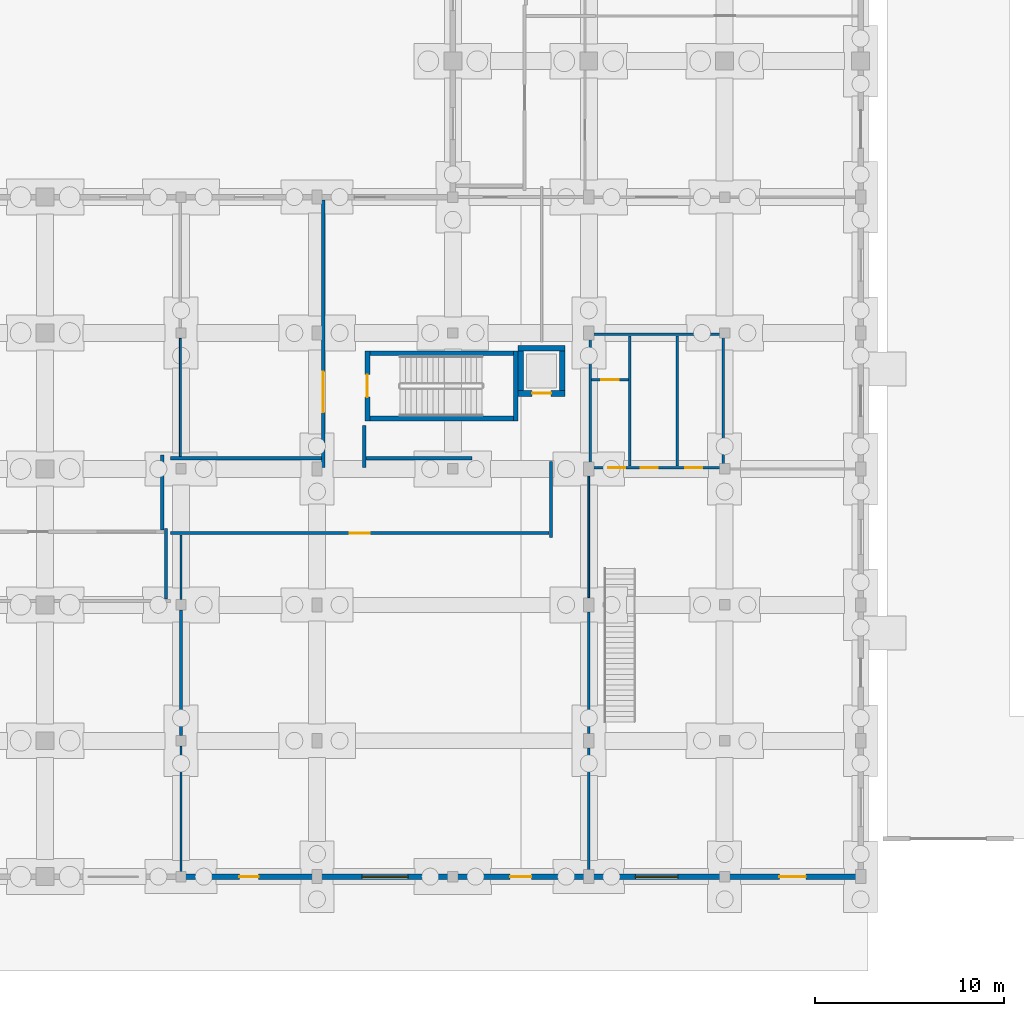
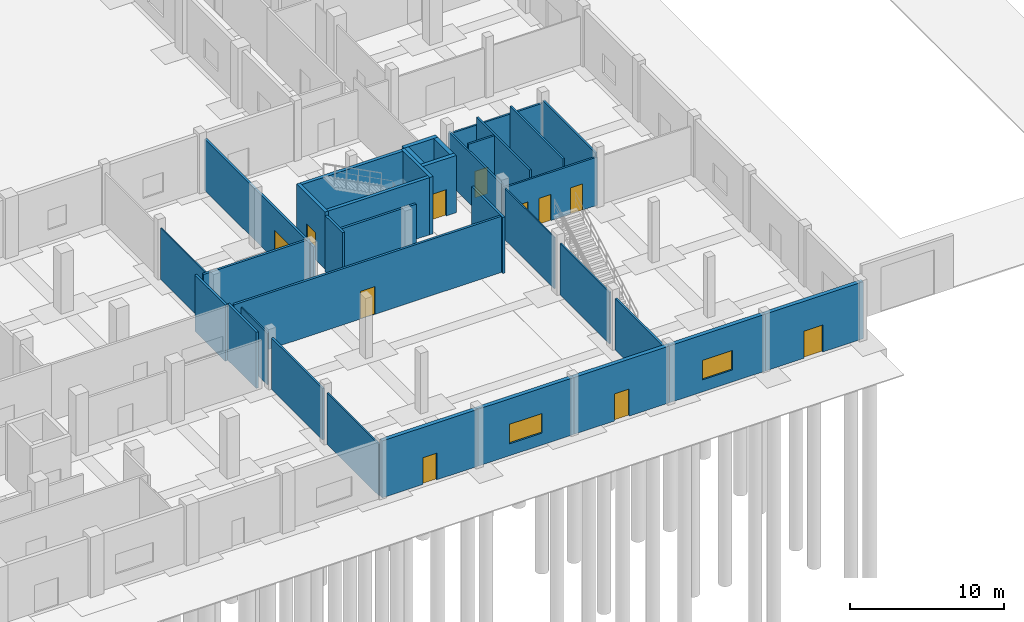
# One storey, part 31 of 48: 35 walls, 11 doors, 2 windows, 13 openings.
"""IFC4 building model written with IfcOpenShell, lengths in metres."""

from ifc_helpers import new_model, si_unit, direction, frame, frame_2d, origin, place, context, subcontext, project, spatial, rectangle, extrude, material, layer, layer_set, type_object, element, fill, save


model = new_model("IFC4")

# Units and contexts
model_context = context("Model", 3, precision=1e-05, world=origin(), true_north=direction((0.0, 1.0)))
body_context = subcontext(model_context, "Body", "Model", "MODEL_VIEW")
ifc_project = project(units=[si_unit("LENGTHUNIT", "METRE"), si_unit("AREAUNIT", "SQUARE_METRE"), si_unit("VOLUMEUNIT", "CUBIC_METRE"), si_unit("PLANEANGLEUNIT", "RADIAN"), si_unit("MASSUNIT", "GRAM", prefix="KILO")], contexts=[model_context])

# Site, building, storey
site_placement = place(None, origin())
site = spatial("IfcSite", under=ifc_project, at=site_placement, CompositionType="ELEMENT")
building_placement = place(site_placement, origin())
building = spatial("IfcBuilding", under=site, at=building_placement, Name="Seraya Terrace Polytechnic", CompositionType="ELEMENT")
storey_placement = place(building_placement, origin())
storey = spatial("IfcBuildingStorey", under=building, at=storey_placement, Name="L00", CompositionType="ELEMENT", Elevation=0.0)

# Wall, opening, door
ifc_material_1 = material(Name="Concrete C40/50", Category="concrete")
ifc_layer_1 = layer(ifc_material_1, 0.300048828125, Name="EW-01")
ifc_layer_set_1 = layer_set([ifc_layer_1], Name="Concrete C40/50")
wall_type_1 = type_object("IfcWallType", Name="EW-01", PredefinedType="SOLIDWALL", material=ifc_layer_set_1)
wall_1_placement = place(storey_placement, frame((165.75, 0.0, 0.0), z_axis=(0.0, 0.0, 1.0), x_axis=(-1.0, 0.0, 0.0)))
wall_1 = element("IfcWall", 1, at=wall_1_placement, inside=storey, type_object=wall_type_1, Name="Exterior structural wall EW-01 L00", PredefinedType="SOLIDWALL", context=body_context, shape_type="SweptSolid", body=[
    extrude(rectangle(XDim=7.35009765625, YDim=0.300048828125, at=frame_2d((3.675048828125, 0.0))), origin(), (0.0, 0.0, 1.0), 4.52001953125),
])
opening_1_placement = place(wall_1_placement, frame((3.050048828125, 0.0, 0.0)))
opening_1 = element("IfcOpeningElement", 2, at=opening_1_placement, cuts=wall_1, Name="Opening ED-05", PredefinedType="OPENING", context=body_context, shape_type="SweptSolid", body=[
    extrude(rectangle(XDim=1.39990234375, YDim=2.14990234375, at=frame_2d((0.699951171875, 1.074951171875))), frame((0.0, 0.162109375, 0.0), z_axis=(0.0, -1.0, 0.0), x_axis=(1.0, 0.0, 0.0)), (0.0, 0.0, 1.0), 0.323974609375),
])
ifc_material_2 = material(Name="Anodised aluminium EN AW-6063 T6", Category="aluminium")
door_type_1 = type_object("IfcDoorType", Name="ED-05", OperationType="DOUBLE_DOOR_SINGLE_SWING", PredefinedType="DOOR", material=ifc_material_2)
door_1_placement = place(opening_1_placement, origin())
door_1 = element("IfcDoor", 3, at=door_1_placement, inside=storey, type_object=door_type_1, Name="Door ED-05 DR-EXIT-L00-021 in WL-EXT-L00-08-00", OperationType="DOUBLE_DOOR_SINGLE_SWING", OverallHeight=2.14990234375, OverallWidth=1.39990234375, PredefinedType="DOOR", context=body_context, shape_type="SweptSolid", body=[
    extrude(rectangle(XDim=1.39990234375, YDim=2.14990234375, at=frame_2d((0.699951171875, 1.074951171875))), frame((0.0, 0.02490234375, 0.0), z_axis=(0.0, -1.0, 0.0), x_axis=(1.0, 0.0, 0.0)), (0.0, 0.0, 1.0), 0.050048828125),
])
fill(opening_1, door_1)

# Wall, opening, window
wall_2_placement = place(storey_placement, frame((158.39990234375, 0.0, 0.0), z_axis=(0.0, 0.0, 1.0), x_axis=(-1.0, 0.0, 0.0)))
wall_2 = element("IfcWall", 4, at=wall_2_placement, inside=storey, type_object=wall_type_1, Name="Exterior structural wall EW-01 L00", PredefinedType="SOLIDWALL", context=body_context, shape_type="SweptSolid", body=[
    extrude(rectangle(XDim=7.199951171875, YDim=0.300048828125, at=frame_2d((3.60009765625, 0.0))), origin(), (0.0, 0.0, 1.0), 4.52001953125),
])
opening_2_placement = place(wall_2_placement, frame((2.47509765625, 0.0, 0.949951171875)))
opening_2 = element("IfcOpeningElement", 5, at=opening_2_placement, cuts=wall_2, Name="Opening WN-20", PredefinedType="OPENING", context=body_context, shape_type="SweptSolid", body=[
    extrude(rectangle(XDim=2.25, YDim=1.550048828125, at=frame_2d((1.125, 0.77490234375))), frame((0.0, 0.162109375, 0.0), z_axis=(0.0, -1.0, 0.0), x_axis=(1.0, 0.0, 0.0)), (0.0, 0.0, 1.0), 0.323974609375),
])
ifc_material_3 = material(Name="Laminated solar-control Low-E double glazing", Category="glass")
window_type_1 = type_object("IfcWindowType", Name="WN-20", PartitioningType="SINGLE_PANEL", PredefinedType="WINDOW", material=ifc_material_3)
window_1_placement = place(opening_2_placement, origin())
window_1 = element("IfcWindow", 6, at=window_1_placement, inside=storey, type_object=window_type_1, Name="Exterior window WN-20 L00", OverallHeight=1.550048828125, OverallWidth=2.25, PartitioningType="SINGLE_PANEL", PredefinedType="WINDOW", context=body_context, shape_type="SweptSolid", body=[
    extrude(rectangle(XDim=2.25, YDim=1.550048828125, at=frame_2d((1.125, 0.77490234375))), frame((0.0, 0.030029296875, 0.0), z_axis=(0.0, -1.0, 0.0), x_axis=(1.0, 0.0, 0.0)), (0.0, 0.0, 1.0), 0.06005859375),
])
fill(opening_2, window_1)

# Wall, opening, door
wall_3_placement = place(storey_placement, frame((151.199951171875, 0.0, 0.0), z_axis=(0.0, 0.0, 1.0), x_axis=(-1.0, 0.0, 0.0)))
wall_3 = element("IfcWall", 7, at=wall_3_placement, inside=storey, type_object=wall_type_1, Name="Exterior structural wall EW-01 L00", PredefinedType="SOLIDWALL", context=body_context, shape_type="SweptSolid", body=[
    extrude(rectangle(XDim=7.199951171875, YDim=0.300048828125, at=frame_2d((3.60009765625, 0.0))), origin(), (0.0, 0.0, 1.0), 4.52001953125),
])
opening_3_placement = place(wall_3_placement, frame((3.0400390625, 0.0, 0.0)))
opening_3 = element("IfcOpeningElement", 8, at=opening_3_placement, cuts=wall_3, Name="Opening ED-06", PredefinedType="OPENING", context=body_context, shape_type="SweptSolid", body=[
    extrude(rectangle(XDim=1.1201171875, YDim=2.14990234375, at=frame_2d((0.56005859375, 1.074951171875))), frame((0.0, 0.162109375, 0.0), z_axis=(0.0, -1.0, 0.0), x_axis=(1.0, 0.0, 0.0)), (0.0, 0.0, 1.0), 0.323974609375),
])
door_type_2 = type_object("IfcDoorType", Name="ED-06", OperationType="NOTDEFINED", PredefinedType="DOOR", material=ifc_material_2)
door_2_placement = place(opening_3_placement, origin())
door_2 = element("IfcDoor", 9, at=door_2_placement, inside=storey, type_object=door_type_2, Name="Door ED-06 DR-EXIT-L00-022 in WL-EXT-L00-08-02", OperationType="SINGLE_SWING_LEFT", OverallHeight=2.14990234375, OverallWidth=1.1201171875, PredefinedType="DOOR", context=body_context, shape_type="SweptSolid", body=[
    extrude(rectangle(XDim=1.1201171875, YDim=2.14990234375, at=frame_2d((0.56005859375, 1.074951171875))), frame((0.0, 0.02490234375, 0.0), z_axis=(0.0, -1.0, 0.0), x_axis=(1.0, 0.0, 0.0)), (0.0, 0.0, 1.0), 0.050048828125),
])
fill(opening_3, door_2)

# Wall, opening, window
wall_4_placement = place(storey_placement, frame((144.0, 0.0, 0.0), z_axis=(0.0, 0.0, 1.0), x_axis=(-1.0, 0.0, 0.0)))
wall_4 = element("IfcWall", 10, at=wall_4_placement, inside=storey, type_object=wall_type_1, Name="Exterior structural wall EW-01 L00", PredefinedType="SOLIDWALL", context=body_context, shape_type="SweptSolid", body=[
    extrude(rectangle(XDim=7.199951171875, YDim=0.300048828125, at=frame_2d((3.60009765625, 0.0))), origin(), (0.0, 0.0, 1.0), 4.52001953125),
])
opening_4_placement = place(wall_4_placement, frame((2.375, 0.0, 0.949951171875)))
opening_4 = element("IfcOpeningElement", 11, at=opening_4_placement, cuts=wall_4, Name="Opening WN-21", PredefinedType="OPENING", context=body_context, shape_type="SweptSolid", body=[
    extrude(rectangle(XDim=2.449951171875, YDim=1.550048828125, at=frame_2d((1.22509765625, 0.77490234375))), frame((0.0, 0.162109375, 0.0), z_axis=(0.0, -1.0, 0.0), x_axis=(1.0, 0.0, 0.0)), (0.0, 0.0, 1.0), 0.323974609375),
])
window_type_2 = type_object("IfcWindowType", Name="WN-21", PartitioningType="SINGLE_PANEL", PredefinedType="WINDOW", material=ifc_material_3)
window_2_placement = place(opening_4_placement, origin())
window_2 = element("IfcWindow", 12, at=window_2_placement, inside=storey, type_object=window_type_2, Name="Exterior window WN-21 L00", OverallHeight=1.550048828125, OverallWidth=2.449951171875, PartitioningType="SINGLE_PANEL", PredefinedType="WINDOW", context=body_context, shape_type="SweptSolid", body=[
    extrude(rectangle(XDim=2.449951171875, YDim=1.550048828125, at=frame_2d((1.22509765625, 0.77490234375))), frame((0.0, 0.030029296875, 0.0), z_axis=(0.0, -1.0, 0.0), x_axis=(1.0, 0.0, 0.0)), (0.0, 0.0, 1.0), 0.06005859375),
])
fill(opening_4, window_2)

# Wall, opening, door
wall_5_placement = place(storey_placement, frame((136.800048828125, 0.0, 0.0), z_axis=(0.0, 0.0, 1.0), x_axis=(-1.0, 0.0, 0.0)))
wall_5 = element("IfcWall", 13, at=wall_5_placement, inside=storey, type_object=wall_type_1, Name="Exterior structural wall EW-01 L00", PredefinedType="SOLIDWALL", context=body_context, shape_type="SweptSolid", body=[
    extrude(rectangle(XDim=7.199951171875, YDim=0.300048828125, at=frame_2d((3.60009765625, 0.0))), origin(), (0.0, 0.0, 1.0), 4.52001953125),
])
opening_5_placement = place(wall_5_placement, frame((3.090087890625, 0.0, 0.0)))
opening_5 = element("IfcOpeningElement", 14, at=opening_5_placement, cuts=wall_5, Name="Opening ED-07", PredefinedType="OPENING", context=body_context, shape_type="SweptSolid", body=[
    extrude(rectangle(XDim=1.02001953125, YDim=2.1201171875, at=frame_2d((0.510009765625, 1.06005859375))), frame((0.0, 0.162109375, 0.0), z_axis=(0.0, -1.0, 0.0), x_axis=(1.0, 0.0, 0.0)), (0.0, 0.0, 1.0), 0.323974609375),
])
door_type_3 = type_object("IfcDoorType", Name="ED-07", OperationType="NOTDEFINED", PredefinedType="DOOR", material=ifc_material_2)
door_3_placement = place(opening_5_placement, origin())
door_3 = element("IfcDoor", 15, at=door_3_placement, inside=storey, type_object=door_type_3, Name="Door ED-07 DR-EXIT-L00-023 in WL-EXT-L00-08-04", OperationType="SINGLE_SWING_RIGHT", OverallHeight=2.1201171875, OverallWidth=1.02001953125, PredefinedType="DOOR", context=body_context, shape_type="SweptSolid", body=[
    extrude(rectangle(XDim=1.02001953125, YDim=2.1201171875, at=frame_2d((0.510009765625, 1.06005859375))), frame((0.0, 0.02490234375, 0.0), z_axis=(0.0, -1.0, 0.0), x_axis=(1.0, 0.0, 0.0)), (0.0, 0.0, 1.0), 0.050048828125),
])
fill(opening_5, door_3)

# Wall
ifc_material_4 = material(Name="Autoclaved aerated concrete blockwork", Category="masonry")
ifc_layer_2 = layer(ifc_material_4, 0.169921875, Name="PT-02")
ifc_layer_set_2 = layer_set([ifc_layer_2], Name="Autoclaved aerated concrete blockwork")
wall_type_2 = type_object("IfcWallType", Name="PT-02", PredefinedType="PARTITIONING", material=ifc_layer_set_2)
wall_6_placement = place(storey_placement, frame((139.300048828125, 21.66845703125, 0.0), z_axis=(0.0, 0.0, 1.0), x_axis=(0.0, 1.0, 0.0)))
element("IfcWall", 16, at=wall_6_placement, inside=storey, type_object=wall_type_2, Name="Internal partition PT-02 L00", PredefinedType="PARTITIONING", context=body_context, shape_type="SweptSolid", body=[
    extrude(rectangle(XDim=2.23193359375, YDim=0.169921875, at=frame_2d((1.115966796875, 0.0))), origin(), (0.0, 0.0, 1.0), 4.4599609375),
])

# Wall, opening, door
wall_7_placement = place(storey_placement, frame((137.1298828125, 21.679931640625, 0.0), z_axis=(0.0, 0.0, 1.0), x_axis=(0.0, 1.0, 0.0)))
wall_7 = element("IfcWall", 17, at=wall_7_placement, inside=storey, type_object=wall_type_2, Name="Internal partition PT-02 L00", PredefinedType="PARTITIONING", context=body_context, shape_type="SweptSolid", body=[
    extrude(rectangle(XDim=14.157958984375, YDim=0.169921875, at=frame_2d((7.0791015625, 0.0))), origin(), (0.0, 0.0, 1.0), 4.080078125),
])
opening_6_placement = place(wall_7_placement, frame((2.9150390625, 0.0, 0.0)))
opening_6 = element("IfcOpeningElement", 18, at=opening_6_placement, cuts=wall_7, Name="Opening ID-18", PredefinedType="OPENING", context=body_context, shape_type="SweptSolid", body=[
    extrude(rectangle(XDim=2.159912109375, YDim=2.35009765625, at=frame_2d((1.080078125, 1.175048828125))), frame((0.0, 0.096923828125, 0.0), z_axis=(0.0, -1.0, 0.0), x_axis=(1.0, 0.0, 0.0)), (0.0, 0.0, 1.0), 0.19384765625),
])
ifc_material_5 = material(Name="Malaysian dark red meranti hardwood timber D40", Category="wood")
door_type_4 = type_object("IfcDoorType", Name="ID-18", OperationType="DOUBLE_DOOR_SINGLE_SWING", PredefinedType="DOOR", material=ifc_material_5)
door_4_placement = place(opening_6_placement, frame((2.159912109375, 0.0, 0.0), z_axis=(0.0, 0.0, 1.0), x_axis=(-1.0, 0.0, 0.0)))
door_4 = element("IfcDoor", 19, at=door_4_placement, inside=storey, type_object=door_type_4, Name="Door ID-18 DR-INT-L00-0015 in WL-INT-L00-0018", OperationType="DOUBLE_DOOR_SINGLE_SWING", OverallHeight=2.35009765625, OverallWidth=2.159912109375, PredefinedType="DOOR", context=body_context, shape_type="SweptSolid", body=[
    extrude(rectangle(XDim=2.159912109375, YDim=2.35009765625, at=frame_2d((1.080078125, 1.175048828125))), frame((0.0, 0.02490234375, 0.0), z_axis=(0.0, -1.0, 0.0), x_axis=(1.0, 0.0, 0.0)), (0.0, 0.0, 1.0), 0.050048828125),
])
fill(opening_6, door_4)

# Walls
wall_8_placement = place(storey_placement, frame((128.800048828125, 14.699951171875, 0.0), z_axis=(0.0, 0.0, 1.0), x_axis=(0.0, 1.0, 0.0)))
element("IfcWall", 20, at=wall_8_placement, inside=storey, type_object=wall_type_2, Name="Internal partition PT-02 L00", PredefinedType="PARTITIONING", context=body_context, shape_type="SweptSolid", body=[
    extrude(rectangle(XDim=3.739990234375, YDim=0.169921875, at=frame_2d((1.8701171875, 0.0))), origin(), (0.0, 0.0, 1.0), 4.4599609375),
])
wall_9_placement = place(storey_placement, frame((149.199951171875, 17.9599609375, 0.0), z_axis=(0.0, 0.0, 1.0), x_axis=(0.0, 1.0, 0.0)))
element("IfcWall", 21, at=wall_9_placement, inside=storey, type_object=wall_type_2, Name="Internal partition PT-02 L00", PredefinedType="PARTITIONING", context=body_context, shape_type="SweptSolid", body=[
    extrude(rectangle(XDim=4.0400390625, YDim=0.169921875, at=frame_2d((2.02001953125, 0.0))), origin(), (0.0, 0.0, 1.0), 4.4599609375),
])

# Wall, opening, door
wall_10_placement = place(storey_placement, frame((129.028564453125, 18.199951171875, 0.0), z_axis=(0.0, 0.0, 1.0), x_axis=(1.0, 0.0, 0.0)))
wall_10 = element("IfcWall", 22, at=wall_10_placement, inside=storey, type_object=wall_type_2, Name="Internal partition PT-02 L00", PredefinedType="PARTITIONING", context=body_context, shape_type="SweptSolid", body=[
    extrude(rectangle(XDim=20.071533203125, YDim=0.169921875, at=frame_2d((10.03564453125, 0.0))), origin(), (0.0, 0.0, 1.0), 4.4599609375),
])
opening_7_placement = place(wall_10_placement, frame((9.495849609375, 0.0, 0.0)))
opening_7 = element("IfcOpeningElement", 23, at=opening_7_placement, cuts=wall_10, Name="Opening ID-05", PredefinedType="OPENING", context=body_context, shape_type="SweptSolid", body=[
    extrude(rectangle(XDim=1.080078125, YDim=2.199951171875, at=frame_2d((0.5400390625, 1.10009765625))), frame((0.0, 0.096923828125, 0.0), z_axis=(0.0, -1.0, 0.0), x_axis=(1.0, 0.0, 0.0)), (0.0, 0.0, 1.0), 0.19384765625),
])
door_type_5 = type_object("IfcDoorType", Name="ID-05", OperationType="NOTDEFINED", PredefinedType="DOOR", material=ifc_material_5)
door_5_placement = place(opening_7_placement, origin())
door_5 = element("IfcDoor", 24, at=door_5_placement, inside=storey, type_object=door_type_5, Name="Door ID-05 DR-INT-L00-0002 in WL-INT-L00-0122", OperationType="SINGLE_SWING_LEFT", OverallHeight=2.199951171875, OverallWidth=1.080078125, PredefinedType="DOOR", context=body_context, shape_type="SweptSolid", body=[
    extrude(rectangle(XDim=1.080078125, YDim=2.199951171875, at=frame_2d((0.5400390625, 1.10009765625))), frame((0.0, 0.02490234375, 0.0), z_axis=(0.0, -1.0, 0.0), x_axis=(1.0, 0.0, 0.0)), (0.0, 0.0, 1.0), 0.050048828125),
])
fill(opening_7, door_5)

# Walls
wall_11_placement = place(storey_placement, frame((139.39990234375, 22.169921875, 0.0), z_axis=(0.0, 0.0, 1.0), x_axis=(1.0, 0.0, 0.0)))
element("IfcWall", 25, at=wall_11_placement, inside=storey, type_object=wall_type_2, Name="Internal partition PT-02 L00", PredefinedType="PARTITIONING", context=body_context, shape_type="SweptSolid", body=[
    extrude(rectangle(XDim=5.612060546875, YDim=0.169921875, at=frame_2d((2.80615234375, 0.0))), origin(), (0.0, 0.0, 1.0), 4.4599609375),
])
wall_12_placement = place(storey_placement, frame((128.60009765625, 18.3701171875, 0.0), z_axis=(0.0, 0.0, 1.0), x_axis=(0.0, 1.0, 0.0)))
element("IfcWall", 26, at=wall_12_placement, inside=storey, type_object=wall_type_2, Name="Internal partition PT-02 L00", PredefinedType="PARTITIONING", context=body_context, shape_type="SweptSolid", body=[
    extrude(rectangle(XDim=3.969970703125, YDim=0.169921875, at=frame_2d((1.98486328125, 0.0))), origin(), (0.0, 0.0, 1.0), 4.4599609375),
])
wall_13_placement = place(storey_placement, frame((129.0400390625, 22.169921875, 0.0), z_axis=(0.0, 0.0, 1.0), x_axis=(1.0, 0.0, 0.0)))
element("IfcWall", 27, at=wall_13_placement, inside=storey, type_object=wall_type_2, Name="Internal partition PT-02 L00", PredefinedType="PARTITIONING", context=body_context, shape_type="SweptSolid", body=[
    extrude(rectangle(XDim=7.989990234375, YDim=0.169921875, at=frame_2d((3.9951171875, 0.0))), origin(), (0.0, 0.0, 1.0), 4.4599609375),
])
ifc_layer_3 = layer(ifc_material_4, 0.14990234375, Name="PT-03")
ifc_layer_set_3 = layer_set([ifc_layer_3], Name="Autoclaved aerated concrete blockwork")
wall_type_3 = type_object("IfcWallType", Name="PT-03", PredefinedType="PARTITIONING", material=ifc_layer_set_3)
wall_14_placement = place(storey_placement, frame((129.60009765625, 7.485107421875, 0.0), z_axis=(0.0, 0.0, 1.0), x_axis=(0.0, 1.0, 0.0)))
element("IfcWall", 28, at=wall_14_placement, inside=storey, type_object=wall_type_3, Name="Internal partition PT-03 L00", PredefinedType="PARTITIONING", context=body_context, shape_type="SweptSolid", body=[
    extrude(rectangle(XDim=6.6298828125, YDim=0.14990234375, at=frame_2d((3.31494140625, 0.0))), origin(), (0.0, 0.0, 1.0), 4.080078125),
])
wall_15_placement = place(storey_placement, frame((151.199951171875, 0.162109375, 0.0), z_axis=(0.0, 0.0, 1.0), x_axis=(0.0, 1.0, 0.0)))
element("IfcWall", 29, at=wall_15_placement, inside=storey, type_object=wall_type_3, Name="Internal partition PT-03 L00", PredefinedType="PARTITIONING", context=body_context, shape_type="SweptSolid", body=[
    extrude(rectangle(XDim=6.65283203125, YDim=0.14990234375, at=frame_2d((3.326416015625, 0.0))), origin(), (0.0, 0.0, 1.0), 4.080078125),
])

# Wall, openings, doors
ifc_layer_4 = layer(ifc_material_4, 0.139892578125, Name="PT-04")
ifc_layer_set_4 = layer_set([ifc_layer_4], Name="Autoclaved aerated concrete blockwork")
wall_type_4 = type_object("IfcWallType", Name="PT-04", PredefinedType="PARTITIONING", material=ifc_layer_set_4)
wall_16_placement = place(storey_placement, frame((151.27001953125, 21.669921875, 0.0), z_axis=(0.0, 0.0, 1.0), x_axis=(1.0, 0.0, 0.0)))
wall_16 = element("IfcWall", 30, at=wall_16_placement, inside=storey, type_object=wall_type_4, Name="Sanitary WC-D South wall L00", PredefinedType="PARTITIONING", context=body_context, shape_type="SweptSolid", body=[
    extrude(rectangle(XDim=7.06005859375, YDim=0.139892578125, at=frame_2d((3.530029296875, 0.0))), origin(), (0.0, 0.0, 1.0), 3.830078125),
])
opening_8_placement = place(wall_16_placement, frame((0.949951171875, 0.0, 0.0)))
opening_8 = element("IfcOpeningElement", 31, at=opening_8_placement, cuts=wall_16, Name="Opening ID-02", PredefinedType="OPENING", context=body_context, shape_type="SweptSolid", body=[
    extrude(rectangle(XDim=0.89990234375, YDim=2.080078125, at=frame_2d((0.449951171875, 1.0400390625))), frame((0.0, 0.08203125, 0.0), z_axis=(0.0, -1.0, 0.0), x_axis=(1.0, 0.0, 0.0)), (0.0, 0.0, 1.0), 0.163818359375),
])
opening_9_placement = place(wall_16_placement, frame((2.679931640625, 0.0, 0.0)))
opening_9 = element("IfcOpeningElement", 32, at=opening_9_placement, cuts=wall_16, Name="Opening ID-02", PredefinedType="OPENING", context=body_context, shape_type="SweptSolid", body=[
    extrude(rectangle(XDim=0.89990234375, YDim=2.080078125, at=frame_2d((0.449951171875, 1.0400390625))), frame((0.0, 0.08203125, 0.0), z_axis=(0.0, -1.0, 0.0), x_axis=(1.0, 0.0, 0.0)), (0.0, 0.0, 1.0), 0.163818359375),
])
opening_10_placement = place(wall_16_placement, frame((5.050048828125, 0.0, 0.0)))
opening_10 = element("IfcOpeningElement", 33, at=opening_10_placement, cuts=wall_16, Name="Opening ID-02", PredefinedType="OPENING", context=body_context, shape_type="SweptSolid", body=[
    extrude(rectangle(XDim=0.89990234375, YDim=2.080078125, at=frame_2d((0.449951171875, 1.0400390625))), frame((0.0, 0.08203125, 0.0), z_axis=(0.0, -1.0, 0.0), x_axis=(1.0, 0.0, 0.0)), (0.0, 0.0, 1.0), 0.163818359375),
])
door_type_6 = type_object("IfcDoorType", Name="ID-02", OperationType="NOTDEFINED", PredefinedType="DOOR", material=ifc_material_5)
door_6_placement = place(opening_8_placement, origin())
door_6 = element("IfcDoor", 34, at=door_6_placement, inside=storey, type_object=door_type_6, Name="Door ID-02 DR-WC-WC-D-L00-CLN in WL-WC-WC-D-L00-S", OperationType="SINGLE_SWING_LEFT", OverallHeight=2.080078125, OverallWidth=0.89990234375, PredefinedType="DOOR", context=body_context, shape_type="SweptSolid", body=[
    extrude(rectangle(XDim=0.89990234375, YDim=2.080078125, at=frame_2d((0.449951171875, 1.0400390625))), frame((0.0, 0.02490234375, 0.0), z_axis=(0.0, -1.0, 0.0), x_axis=(1.0, 0.0, 0.0)), (0.0, 0.0, 1.0), 0.050048828125),
])
fill(opening_8, door_6)
door_7_placement = place(opening_9_placement, origin())
door_7 = element("IfcDoor", 35, at=door_7_placement, inside=storey, type_object=door_type_6, Name="Door ID-02 DR-WC-WC-D-L00-M in WL-WC-WC-D-L00-S", OperationType="SINGLE_SWING_RIGHT", OverallHeight=2.080078125, OverallWidth=0.89990234375, PredefinedType="DOOR", context=body_context, shape_type="SweptSolid", body=[
    extrude(rectangle(XDim=0.89990234375, YDim=2.080078125, at=frame_2d((0.449951171875, 1.0400390625))), frame((0.0, 0.02490234375, 0.0), z_axis=(0.0, -1.0, 0.0), x_axis=(1.0, 0.0, 0.0)), (0.0, 0.0, 1.0), 0.050048828125),
])
fill(opening_9, door_7)
door_8_placement = place(opening_10_placement, origin())
door_8 = element("IfcDoor", 36, at=door_8_placement, inside=storey, type_object=door_type_6, Name="Door ID-02 DR-WC-WC-D-L00-F in WL-WC-WC-D-L00-S", OperationType="SINGLE_SWING_LEFT", OverallHeight=2.080078125, OverallWidth=0.89990234375, PredefinedType="DOOR", context=body_context, shape_type="SweptSolid", body=[
    extrude(rectangle(XDim=0.89990234375, YDim=2.080078125, at=frame_2d((0.449951171875, 1.0400390625))), frame((0.0, 0.02490234375, 0.0), z_axis=(0.0, -1.0, 0.0), x_axis=(1.0, 0.0, 0.0)), (0.0, 0.0, 1.0), 0.050048828125),
])
fill(opening_10, door_8)

# Walls
wall_17_placement = place(storey_placement, frame((151.27001953125, 28.72998046875, 0.0), z_axis=(0.0, 0.0, 1.0), x_axis=(1.0, 0.0, 0.0)))
element("IfcWall", 37, at=wall_17_placement, inside=storey, type_object=wall_type_4, Name="Sanitary WC-D North wall L00", PredefinedType="PARTITIONING", context=body_context, shape_type="SweptSolid", body=[
    extrude(rectangle(XDim=7.06005859375, YDim=0.139892578125, at=frame_2d((3.530029296875, 0.0))), origin(), (0.0, 0.0, 1.0), 3.830078125),
])
for number, where, z_axis, x_axis, name in (
    (38, (151.27001953125, 21.75, 0.0), (0.0, 0.0, 1.0), (0.0, 1.0, 0.0), "Sanitary WC-D West wall L00"),
    (39, (158.330078125, 21.75, 0.0), (0.0, 0.0, 1.0), (0.0, 1.0, 0.0), "Sanitary WC-D East wall L00"),
):
    element("IfcWall", number, at=place(storey_placement, frame(where, z_axis=z_axis, x_axis=x_axis)), inside=storey, type_object=wall_type_4, Name=name, PredefinedType="PARTITIONING", context=body_context, shape_type="SweptSolid", body=[
        extrude(rectangle(XDim=6.89990234375, YDim=0.139892578125, at=frame_2d((3.449951171875, 0.0))), origin(), (0.0, 0.0, 1.0), 4.080078125),
    ])
for number, where, z_axis, x_axis, name in (
    (40, (153.3798828125, 21.75, 0.0), (0.0, 0.0, 1.0), (0.0, 1.0, 0.0), "Sanitary WC-D OKU/Male divider L00"),
    (41, (155.889892578125, 21.75, 0.0), (0.0, 0.0, 1.0), (0.0, 1.0, 0.0), "Sanitary WC-D Male/Female divider L00"),
):
    element("IfcWall", number, at=place(storey_placement, frame(where, z_axis=z_axis, x_axis=x_axis)), inside=storey, type_object=wall_type_4, Name=name, PredefinedType="PARTITIONING", context=body_context, shape_type="SweptSolid", body=[
        extrude(rectangle(XDim=6.89990234375, YDim=0.139892578125, at=frame_2d((3.449951171875, 0.0))), origin(), (0.0, 0.0, 1.0), 4.4599609375),
    ])

# Wall, opening, door
wall_18_placement = place(storey_placement, frame((151.35009765625, 26.320068359375, 0.0), z_axis=(0.0, 0.0, 1.0), x_axis=(1.0, 0.0, 0.0)))
wall_18 = element("IfcWall", 42, at=wall_18_placement, inside=storey, type_object=wall_type_4, Name="Sanitary WC-D OKU/Cleaner divider L00", PredefinedType="PARTITIONING", context=body_context, shape_type="SweptSolid", body=[
    extrude(rectangle(XDim=1.949951171875, YDim=0.139892578125, at=frame_2d((0.97509765625, 0.0))), origin(), (0.0, 0.0, 1.0), 4.4599609375),
])
opening_11_placement = place(wall_18_placement, frame((0.5, 0.0, 0.0)))
opening_11 = element("IfcOpeningElement", 43, at=opening_11_placement, cuts=wall_18, Name="Opening ID-01", PredefinedType="OPENING", context=body_context, shape_type="SweptSolid", body=[
    extrude(rectangle(XDim=0.93994140625, YDim=2.10009765625, at=frame_2d((0.469970703125, 1.050048828125))), frame((0.0, 0.08203125, 0.0), z_axis=(0.0, -1.0, 0.0), x_axis=(1.0, 0.0, 0.0)), (0.0, 0.0, 1.0), 0.163818359375),
])
door_type_7 = type_object("IfcDoorType", Name="ID-01", OperationType="NOTDEFINED", PredefinedType="DOOR", material=ifc_material_5)
door_9_placement = place(opening_11_placement, frame((0.93994140625, 0.0, 0.0), z_axis=(0.0, 0.0, 1.0), x_axis=(-1.0, 0.0, 0.0)))
door_9 = element("IfcDoor", 44, at=door_9_placement, inside=storey, type_object=door_type_7, Name="Door ID-01 DR-WC-WC-D-L00-OKU in WL-WC-WC-D-L00-DH", OperationType="SINGLE_SWING_RIGHT", OverallHeight=2.10009765625, OverallWidth=0.93994140625, PredefinedType="DOOR", context=body_context, shape_type="SweptSolid", body=[
    extrude(rectangle(XDim=0.93994140625, YDim=2.10009765625, at=frame_2d((0.469970703125, 1.050048828125))), frame((0.0, 0.02490234375, 0.0), z_axis=(0.0, -1.0, 0.0), x_axis=(1.0, 0.0, 0.0)), (0.0, 0.0, 1.0), 0.050048828125),
])
fill(opening_11, door_9)

# Walls
ifc_layer_5 = layer(ifc_material_4, 0.1201171875, Name="PT-05")
ifc_layer_set_5 = layer_set([ifc_layer_5], Name="Autoclaved aerated concrete blockwork")
wall_type_5 = type_object("IfcWallType", Name="PT-05", PredefinedType="PARTITIONING", material=ifc_layer_set_5)
wall_19_placement = place(storey_placement, frame((129.60009765625, 0.162109375, 0.0), z_axis=(0.0, 0.0, 1.0), x_axis=(0.0, 1.0, 0.0)))
element("IfcWall", 45, at=wall_19_placement, inside=storey, type_object=wall_type_5, Name="Internal partition PT-05 L00", PredefinedType="PARTITIONING", context=body_context, shape_type="SweptSolid", body=[
    extrude(rectangle(XDim=6.7529296875, YDim=0.1201171875, at=frame_2d((3.37646484375, 0.0))), origin(), (0.0, 0.0, 1.0), 4.080078125),
])
wall_20_placement = place(storey_placement, frame((151.199951171875, 7.5849609375, 0.0), z_axis=(0.0, 0.0, 1.0), x_axis=(0.0, 1.0, 0.0)))
element("IfcWall", 46, at=wall_20_placement, inside=storey, type_object=wall_type_5, Name="Internal partition PT-05 L00", PredefinedType="PARTITIONING", context=body_context, shape_type="SweptSolid", body=[
    extrude(rectangle(XDim=6.429931640625, YDim=0.1201171875, at=frame_2d((3.21484375, 0.0))), origin(), (0.0, 0.0, 1.0), 4.080078125),
])
ifc_layer_6 = layer(ifc_material_4, 0.10009765625, Name="PT-06")
ifc_layer_set_6 = layer_set([ifc_layer_6], Name="Autoclaved aerated concrete blockwork")
wall_type_6 = type_object("IfcWallType", Name="PT-06", PredefinedType="PARTITIONING", material=ifc_layer_set_6)
wall_21_placement = place(storey_placement, frame((129.60009765625, 14.68505859375, 0.0), z_axis=(0.0, 0.0, 1.0), x_axis=(0.0, 1.0, 0.0)))
element("IfcWall", 47, at=wall_21_placement, inside=storey, type_object=wall_type_6, Name="Internal partition PT-06 L00", PredefinedType="PARTITIONING", context=body_context, shape_type="SweptSolid", body=[
    extrude(rectangle(XDim=3.4150390625, YDim=0.10009765625, at=frame_2d((1.70751953125, 0.0))), origin(), (0.0, 0.0, 1.0), 4.080078125),
])
wall_22_placement = place(storey_placement, frame((151.199951171875, 14.784912109375, 0.0), z_axis=(0.0, 0.0, 1.0), x_axis=(0.0, 1.0, 0.0)))
element("IfcWall", 48, at=wall_22_placement, inside=storey, type_object=wall_type_6, Name="Internal partition PT-06 L00", PredefinedType="PARTITIONING", context=body_context, shape_type="SweptSolid", body=[
    extrude(rectangle(XDim=6.43017578125, YDim=0.10009765625, at=frame_2d((3.215087890625, 0.0))), origin(), (0.0, 0.0, 1.0), 4.080078125),
])
wall_23_placement = place(storey_placement, frame((129.563232421875, 22.27001953125, 0.0), z_axis=(0.0, 0.0, 1.0), x_axis=(0.0, 1.0, 0.0)))
element("IfcWall", 49, at=wall_23_placement, inside=storey, type_object=wall_type_6, Name="Internal partition PT-06 L00", PredefinedType="PARTITIONING", context=body_context, shape_type="SweptSolid", body=[
    extrude(rectangle(XDim=6.244873046875, YDim=0.10009765625, at=frame_2d((3.12255859375, 0.0))), origin(), (0.0, 0.0, 1.0), 4.080078125),
])

# Wall, opening, door
ifc_layer_7 = layer(ifc_material_1, 0.300048828125, Name="SW-01")
ifc_layer_set_7 = layer_set([ifc_layer_7], Name="Concrete C40/50")
wall_type_7 = type_object("IfcWallType", Name="SW-01", PredefinedType="SHEAR", material=ifc_layer_set_7)
wall_24_placement = place(storey_placement, frame((147.449951171875, 25.60009765625, 0.0), z_axis=(0.0, 0.0, 1.0), x_axis=(1.0, 0.0, 0.0)))
wall_24 = element("IfcWall", 50, at=wall_24_placement, inside=storey, type_object=wall_type_7, Name="Lift shaft PL-06 South wall L00", PredefinedType="SHEAR", context=body_context, shape_type="SweptSolid", body=[
    extrude(rectangle(XDim=2.5, YDim=0.300048828125, at=frame_2d((1.25, 0.0))), origin(), (0.0, 0.0, 1.0), 4.550048828125),
])
opening_12_placement = place(wall_24_placement, frame((0.75, 0.0, 0.0)))
opening_12 = element("IfcOpeningElement", 51, at=opening_12_placement, cuts=wall_24, Name="Opening LD-01", PredefinedType="OPENING", context=body_context, shape_type="SweptSolid", body=[
    extrude(rectangle(XDim=1.0, YDim=2.10009765625, at=frame_2d((0.5, 1.050048828125))), frame((0.0, 0.162109375, 0.0), z_axis=(0.0, -1.0, 0.0), x_axis=(1.0, 0.0, 0.0)), (0.0, 0.0, 1.0), 0.323974609375),
])
ifc_material_6 = material(Name="Steel S355J2", Category="steel")
door_type_8 = type_object("IfcDoorType", Name="LD-01", OperationType="SLIDING_TO_LEFT", PredefinedType="DOOR", material=ifc_material_6)
door_10_placement = place(opening_12_placement, frame((1.0, 0.0, 0.0), z_axis=(0.0, 0.0, 1.0), x_axis=(-1.0, 0.0, 0.0)))
door_10 = element("IfcDoor", 52, at=door_10_placement, inside=storey, type_object=door_type_8, Name="Door LD-01 LD-PL-06-L00 in WL-SHF-PL-06-L00-S", OperationType="SLIDING_TO_RIGHT", OverallHeight=2.10009765625, OverallWidth=1.0, PredefinedType="DOOR", context=body_context, shape_type="SweptSolid", body=[
    extrude(rectangle(XDim=1.0, YDim=2.10009765625, at=frame_2d((0.5, 1.050048828125))), frame((0.0, 0.02490234375, 0.0), z_axis=(0.0, -1.0, 0.0), x_axis=(1.0, 0.0, 0.0)), (0.0, 0.0, 1.0), 0.050048828125),
])
fill(opening_12, door_10)

# Walls
wall_25_placement = place(storey_placement, frame((147.449951171875, 28.0, 0.0), z_axis=(0.0, 0.0, 1.0), x_axis=(1.0, 0.0, 0.0)))
element("IfcWall", 53, at=wall_25_placement, inside=storey, type_object=wall_type_7, Name="Lift shaft PL-06 North wall L00", PredefinedType="SHEAR", context=body_context, shape_type="SweptSolid", body=[
    extrude(rectangle(XDim=2.5, YDim=0.300048828125, at=frame_2d((1.25, 0.0))), origin(), (0.0, 0.0, 1.0), 4.550048828125),
])
for number, where, z_axis, x_axis, name in (
    (54, (147.60009765625, 25.75, 0.0), (0.0, 0.0, 1.0), (0.0, 1.0, 0.0), "Lift shaft PL-06 West wall L00"),
    (55, (149.800048828125, 25.75, 0.0), (0.0, 0.0, 1.0), (0.0, 1.0, 0.0), "Lift shaft PL-06 East wall L00"),
):
    element("IfcWall", number, at=place(storey_placement, frame(where, z_axis=z_axis, x_axis=x_axis)), inside=storey, type_object=wall_type_7, Name=name, PredefinedType="SHEAR", context=body_context, shape_type="SweptSolid", body=[
        extrude(rectangle(XDim=2.10009765625, YDim=0.300048828125, at=frame_2d((1.050048828125, 0.0))), origin(), (0.0, 0.0, 1.0), 4.550048828125),
    ])

# Wall, opening, door
ifc_layer_8 = layer(ifc_material_1, 0.25, Name="SW-02")
ifc_layer_set_8 = layer_set([ifc_layer_8], Name="Concrete C40/50")
wall_type_8 = type_object("IfcWallType", Name="SW-02", PredefinedType="SHEAR", material=ifc_layer_set_8)
wall_26_placement = place(storey_placement, frame((139.47509765625, 24.14990234375, 0.0), z_axis=(0.0, 0.0, 1.0), x_axis=(0.0, 1.0, 0.0)))
wall_26 = element("IfcWall", 56, at=wall_26_placement, inside=storey, type_object=wall_type_8, Name="Stairwell ST-10 West wall L00", PredefinedType="SHEAR", context=body_context, shape_type="SweptSolid", body=[
    extrude(rectangle(XDim=3.7001953125, YDim=0.25, at=frame_2d((1.85009765625, 0.0))), origin(), (0.0, 0.0, 1.0), 4.550048828125),
])
opening_13_placement = place(wall_26_placement, frame((1.25, 0.0, 0.0)))
opening_13 = element("IfcOpeningElement", 57, at=opening_13_placement, cuts=wall_26, Name="Opening FD-01", PredefinedType="OPENING", context=body_context, shape_type="SweptSolid", body=[
    extrude(rectangle(XDim=1.199951171875, YDim=2.14990234375, at=frame_2d((0.60009765625, 1.074951171875))), frame((0.0, 0.136962890625, 0.0), z_axis=(0.0, -1.0, 0.0), x_axis=(1.0, 0.0, 0.0)), (0.0, 0.0, 1.0), 0.27392578125),
])
door_type_9 = type_object("IfcDoorType", Name="FD-01", OperationType="NOTDEFINED", PredefinedType="DOOR", material=ifc_material_6)
door_11_placement = place(opening_13_placement, origin())
door_11 = element("IfcDoor", 58, at=door_11_placement, inside=storey, type_object=door_type_9, Name="Door FD-01 DR-STR-ST-10-L00 in WL-STR-ST-10-L00-W", OperationType="SINGLE_SWING_LEFT", OverallHeight=2.14990234375, OverallWidth=1.199951171875, PredefinedType="DOOR", context=body_context, shape_type="SweptSolid", body=[
    extrude(rectangle(XDim=1.199951171875, YDim=2.14990234375, at=frame_2d((0.60009765625, 1.074951171875))), frame((0.0, 0.02490234375, 0.0), z_axis=(0.0, -1.0, 0.0), x_axis=(1.0, 0.0, 0.0)), (0.0, 0.0, 1.0), 0.050048828125),
])
fill(opening_13, door_11)

# Walls
wall_27_placement = place(storey_placement, frame((147.324951171875, 24.14990234375, 0.0), z_axis=(0.0, 0.0, 1.0), x_axis=(0.0, 1.0, 0.0)))
element("IfcWall", 59, at=wall_27_placement, inside=storey, type_object=wall_type_8, Name="Stairwell ST-10 East wall L00", PredefinedType="SHEAR", context=body_context, shape_type="SweptSolid", body=[
    extrude(rectangle(XDim=3.7001953125, YDim=0.25, at=frame_2d((1.85009765625, 0.0))), origin(), (0.0, 0.0, 1.0), 4.550048828125),
])
for number, where, z_axis, x_axis, name in (
    (60, (139.60009765625, 24.27490234375, 0.0), (0.0, 0.0, 1.0), (1.0, 0.0, 0.0), "Stairwell ST-10 South wall L00"),
    (61, (139.60009765625, 27.72509765625, 0.0), (0.0, 0.0, 1.0), (1.0, 0.0, 0.0), "Stairwell ST-10 North wall L00"),
):
    element("IfcWall", number, at=place(storey_placement, frame(where, z_axis=z_axis, x_axis=x_axis)), inside=storey, type_object=wall_type_8, Name=name, PredefinedType="SHEAR", context=body_context, shape_type="SweptSolid", body=[
        extrude(rectangle(XDim=7.599853515625, YDim=0.25, at=frame_2d((3.7998046875, 0.0))), origin(), (0.0, 0.0, 1.0), 4.550048828125),
    ])

save(model, "model.ifc")
